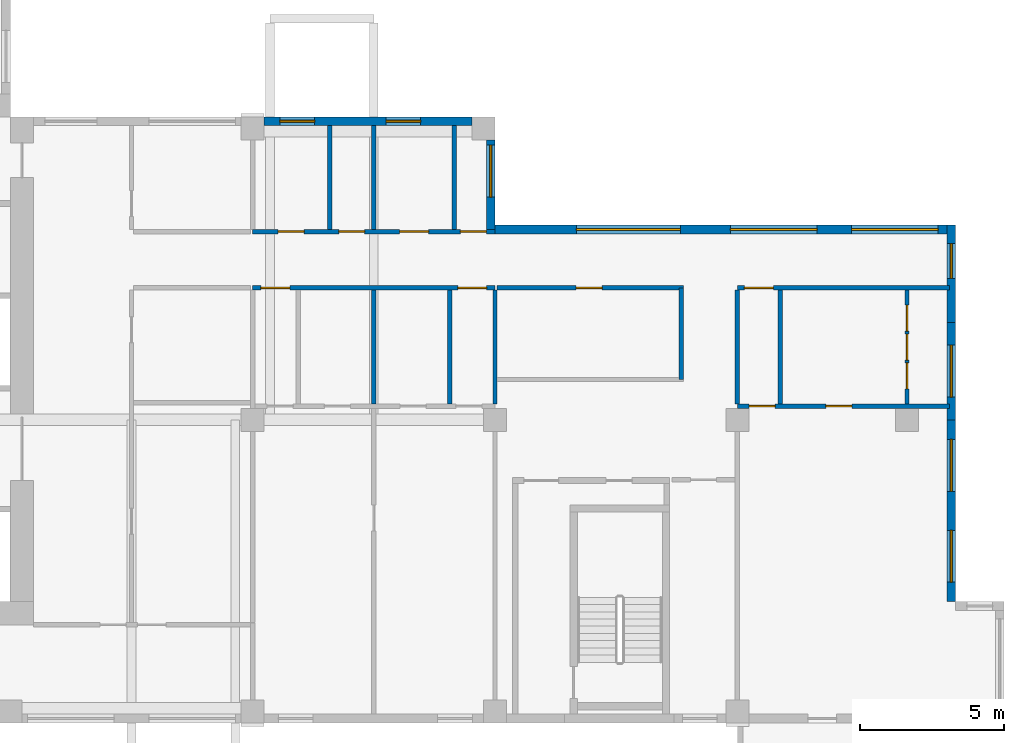
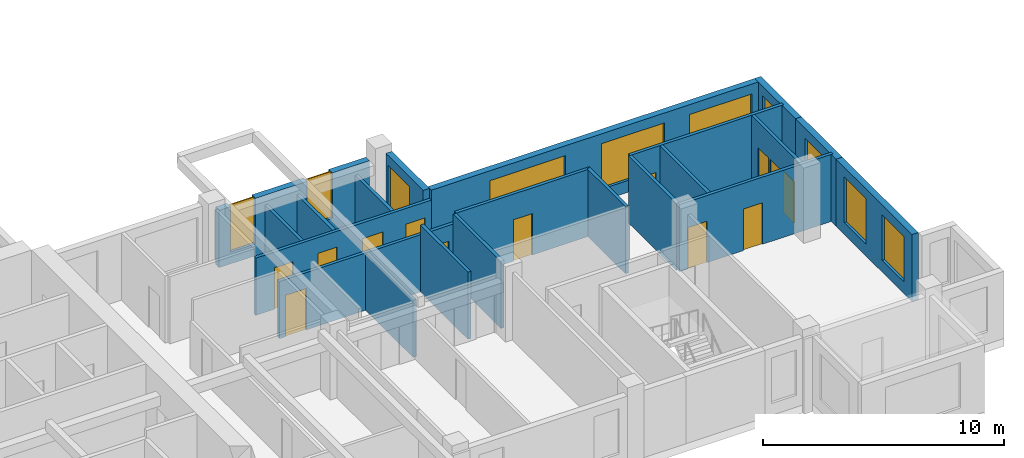
# One storey, part 5 of 11: 21 walls, 13 doors, 10 windows, 23 openings.
"""IFC4 building model written with IfcOpenShell, lengths in metres."""

from ifc_helpers import new_model, si_unit, direction, frame, frame_2d, origin, place, context, subcontext, project, spatial, rectangle, extrude, source, transform, mapped, material, layer, layer_set, type_object, element, fill, save


model = new_model("IFC4")

# Units and contexts
model_context = context("Model", 3, precision=1e-05, world=origin(), true_north=direction((0.0, 1.0)))
body_context = subcontext(model_context, "Body", "Model", "MODEL_VIEW")
ifc_project = project(units=[si_unit("LENGTHUNIT", "METRE"), si_unit("AREAUNIT", "SQUARE_METRE"), si_unit("VOLUMEUNIT", "CUBIC_METRE"), si_unit("PLANEANGLEUNIT", "RADIAN"), si_unit("MASSUNIT", "GRAM", prefix="KILO")], contexts=[model_context])

# Site, building, storey
site_placement = place(None, origin())
site = spatial("IfcSite", under=ifc_project, at=site_placement, CompositionType="ELEMENT")
building_placement = place(site_placement, origin())
building = spatial("IfcBuilding", under=site, at=building_placement, Name="Aurelian Terraces", CompositionType="ELEMENT")
storey_placement = place(building_placement, frame((0.0, 0.0, 227.2)))
storey = spatial("IfcBuildingStorey", under=building, at=storey_placement, Name="L51", CompositionType="ELEMENT", Elevation=227.2)

# Wall, opening, window
ifc_material_1 = material(Name="Terracotta rainscreen cladding", Category="masonry")
ifc_layer_1 = layer(ifc_material_1, 0.3)
ifc_layer_set_1 = layer_set([ifc_layer_1], Name="EW-300")
wall_type_1 = type_object("IfcWallType", Name="EW-300", PredefinedType="STANDARD", material=ifc_layer_set_1)
wall_1_placement = place(storey_placement, frame((37.65, 17.1, 0.0), z_axis=(0.0, 0.0, 1.0), x_axis=(0.0, 1.0, 0.0)))
wall_1 = element("IfcWall", 1, at=wall_1_placement, inside=storey, type_object=wall_type_1, Name="External wall L51 F06.14", PredefinedType="STANDARD", context=body_context, shape_type="SweptSolid", body=[
    extrude(rectangle(XDim=3.1, YDim=0.3, at=frame_2d((1.55, 0.0))), origin(), (0.0, 0.0, 1.0), 3.4),
])
shared_shape_1 = source(origin(), body_context, "Body", "SweptSolid", [
    extrude(rectangle(XDim=1.8, YDim=2.3, at=frame_2d((0.9, 1.15))), frame((0.0, 0.16, 0.0), z_axis=(0.0, -1.0, 0.0), x_axis=(1.0, 0.0, 0.0)), (0.0, 0.0, 1.0), 0.32),
])
opening_1_placement = place(wall_1_placement, frame((1.125, 0.0, 0.6)))
opening_1 = element("IfcOpeningElement", 2, at=opening_1_placement, cuts=wall_1, Name="Opening W1823", PredefinedType="OPENING", context=body_context, shape_type="MappedRepresentation", body=[
    mapped(shared_shape_1, transform((0.0, 0.0, 0.0), scale=1.0)),
])
ifc_material_2 = material(Name="Clear glazing", Category="glass")
window_type_1 = type_object("IfcWindowType", Name="W-1800x2300", PartitioningType="SINGLE_PANEL", PredefinedType="WINDOW", material=ifc_material_2)
shared_shape_2 = source(origin(), body_context, "Body", "SweptSolid", [
    extrude(rectangle(XDim=1.8, YDim=2.3, at=frame_2d((0.9, 1.15))), frame((0.0, 0.03, 0.0), z_axis=(0.0, -1.0, 0.0), x_axis=(1.0, 0.0, 0.0)), (0.0, 0.0, 1.0), 0.06),
])
window_1_placement = place(opening_1_placement, origin())
window_1 = element("IfcWindow", 3, at=window_1_placement, inside=storey, type_object=window_type_1, Name="Window L51 L51-F06-14-0", OverallHeight=2.3, OverallWidth=1.8, PartitioningType="SINGLE_PANEL", PredefinedType="WINDOW", context=body_context, shape_type="MappedRepresentation", body=[
    mapped(shared_shape_2, transform((0.0, 0.0, 0.0), scale=1.0)),
])
fill(opening_1, window_1)

# Wall, openings, windows
wall_2_placement = place(storey_placement, frame((37.0, 20.85, 0.0), z_axis=(0.0, 0.0, 1.0), x_axis=(-1.0, 0.0, 0.0)))
wall_2 = element("IfcWall", 4, at=wall_2_placement, inside=storey, type_object=wall_type_1, Name="External wall L51 F07.15", PredefinedType="STANDARD", context=body_context, shape_type="SweptSolid", body=[
    extrude(rectangle(XDim=7.2, YDim=0.3, at=frame_2d((3.6, 0.0))), origin(), (0.0, 0.0, 1.0), 2.9),
])
shared_shape_3 = source(origin(), body_context, "Body", "SweptSolid", [
    extrude(rectangle(XDim=1.2, YDim=2.3, at=frame_2d((0.6, 1.15))), frame((0.0, 0.16, 0.0), z_axis=(0.0, -1.0, 0.0), x_axis=(1.0, 0.0, 0.0)), (0.0, 0.0, 1.0), 0.32),
])
opening_2_placement = place(wall_2_placement, frame((5.454, 0.0, 0.6)))
opening_2 = element("IfcOpeningElement", 5, at=opening_2_placement, cuts=wall_2, Name="Opening W1223", PredefinedType="OPENING", context=body_context, shape_type="MappedRepresentation", body=[
    mapped(shared_shape_3, transform((0.0, 0.0, 0.0), scale=1.0)),
])
opening_3_placement = place(wall_2_placement, frame((1.776, 0.0, 0.6)))
opening_3 = element("IfcOpeningElement", 6, at=opening_3_placement, cuts=wall_2, Name="Opening W1223", PredefinedType="OPENING", context=body_context, shape_type="MappedRepresentation", body=[
    mapped(shared_shape_3, transform((0.0, 0.0, 0.0), scale=1.0)),
])
window_type_2 = type_object("IfcWindowType", Name="W-1200x2300", PartitioningType="SINGLE_PANEL", PredefinedType="WINDOW", material=ifc_material_2)
shared_shape_4 = source(origin(), body_context, "Body", "SweptSolid", [
    extrude(rectangle(XDim=1.2, YDim=2.3, at=frame_2d((0.6, 1.15))), frame((0.0, 0.03, 0.0), z_axis=(0.0, -1.0, 0.0), x_axis=(1.0, 0.0, 0.0)), (0.0, 0.0, 1.0), 0.06),
])
window_2_placement = place(opening_2_placement, origin())
window_2 = element("IfcWindow", 7, at=window_2_placement, inside=storey, type_object=window_type_2, Name="Window L51 L51-F07-15-1", OverallHeight=2.3, OverallWidth=1.2, PartitioningType="SINGLE_PANEL", PredefinedType="WINDOW", context=body_context, shape_type="MappedRepresentation", body=[
    mapped(shared_shape_4, transform((0.0, 0.0, 0.0), scale=1.0)),
])
fill(opening_2, window_2)
window_3_placement = place(opening_3_placement, origin())
window_3 = element("IfcWindow", 8, at=window_3_placement, inside=storey, type_object=window_type_2, Name="Window L51 L51-F07-15-G0-8", OverallHeight=2.3, OverallWidth=1.2, PartitioningType="SINGLE_PANEL", PredefinedType="WINDOW", context=body_context, shape_type="MappedRepresentation", body=[
    mapped(shared_shape_4, transform((0.0, 0.0, 0.0), scale=1.0)),
])
fill(opening_3, window_3)

# Wall
ifc_material_3 = material(Name="Gypsum board on steel studs", Category="steel")
ifc_layer_2 = layer(ifc_material_3, 0.15)
ifc_layer_set_2 = layer_set([ifc_layer_2], Name="Partition 150")
wall_type_2 = type_object("IfcWallType", Name="Partition 150", PredefinedType="PARTITIONING", material=ifc_layer_set_2)
wall_3_placement = place(storey_placement, frame((33.6, 11.05, 0.0), z_axis=(0.0, 0.0, 1.0), x_axis=(0.0, 1.0, 0.0)))
element("IfcWall", 9, at=wall_3_placement, inside=storey, type_object=wall_type_2, Name="Partition", PredefinedType="PARTITIONING", context=body_context, shape_type="SweptSolid", body=[
    extrude(rectangle(XDim=3.95, YDim=0.15, at=frame_2d((1.975, 0.0))), origin(), (0.0, 0.0, 1.0), 2.9),
])

# Wall, openings, windows
shared_shape_5 = source(origin(), body_context, "Body", "SweptSolid", [
    extrude(rectangle(XDim=6.3, YDim=0.3, at=frame_2d((3.15, 0.0))), origin(), (0.0, 0.0, 1.0), 3.4),
])
wall_4_placement = place(storey_placement, frame((53.61, 4.2, 0.0), z_axis=(0.0, 0.0, 1.0), x_axis=(0.0, 1.0, 0.0)))
wall_4 = element("IfcWall", 10, at=wall_4_placement, inside=storey, type_object=wall_type_1, Name="External wall L51 F04.10", PredefinedType="STANDARD", context=body_context, shape_type="MappedRepresentation", body=[
    mapped(shared_shape_5, transform((0.0, 0.0, 0.0), scale=1.0)),
])
opening_4_placement = place(wall_4_placement, frame((0.675, 0.0, 0.6)))
opening_4 = element("IfcOpeningElement", 11, at=opening_4_placement, cuts=wall_4, Name="Opening W1823", PredefinedType="OPENING", context=body_context, shape_type="MappedRepresentation", body=[
    mapped(shared_shape_1, transform((0.0, 0.0, 0.0), scale=1.0)),
])
opening_5_placement = place(wall_4_placement, frame((3.825, 0.0, 0.6)))
opening_5 = element("IfcOpeningElement", 12, at=opening_5_placement, cuts=wall_4, Name="Opening W1823", PredefinedType="OPENING", context=body_context, shape_type="MappedRepresentation", body=[
    mapped(shared_shape_1, transform((0.0, 0.0, 0.0), scale=1.0)),
])
window_4_placement = place(opening_4_placement, origin())
window_4 = element("IfcWindow", 13, at=window_4_placement, inside=storey, type_object=window_type_1, Name="Window L51 L51-F04-10-0", OverallHeight=2.3, OverallWidth=1.8, PartitioningType="SINGLE_PANEL", PredefinedType="WINDOW", context=body_context, shape_type="MappedRepresentation", body=[
    mapped(shared_shape_2, transform((0.0, 0.0, 0.0), scale=1.0)),
])
fill(opening_4, window_4)
window_5_placement = place(opening_5_placement, origin())
window_5 = element("IfcWindow", 14, at=window_5_placement, inside=storey, type_object=window_type_1, Name="Window L51 L51-F04-10-1", OverallHeight=2.3, OverallWidth=1.8, PartitioningType="SINGLE_PANEL", PredefinedType="WINDOW", context=body_context, shape_type="MappedRepresentation", body=[
    mapped(shared_shape_2, transform((0.0, 0.0, 0.0), scale=1.0)),
])
fill(opening_5, window_5)

# Wall, opening, window
shared_shape_6 = source(origin(), body_context, "Body", "SweptSolid", [
    extrude(rectangle(XDim=3.375, YDim=0.3, at=frame_2d((1.6875, 0.0))), origin(), (0.0, 0.0, 1.0), 3.4),
])
wall_5_placement = place(storey_placement, frame((53.61, 10.5, 0.0), z_axis=(0.0, 0.0, 1.0), x_axis=(0.0, 1.0, 0.0)))
wall_5 = element("IfcWall", 15, at=wall_5_placement, inside=storey, type_object=wall_type_1, Name="External wall L51 F04.11", PredefinedType="STANDARD", context=body_context, shape_type="MappedRepresentation", body=[
    mapped(shared_shape_6, transform((0.0, 0.0, 0.0), scale=1.0)),
])
opening_6_placement = place(wall_5_placement, frame((0.7875, 0.0, 0.6)))
opening_6 = element("IfcOpeningElement", 16, at=opening_6_placement, cuts=wall_5, Name="Opening W1823", PredefinedType="OPENING", context=body_context, shape_type="MappedRepresentation", body=[
    mapped(shared_shape_1, transform((0.0, 0.0, 0.0), scale=1.0)),
])
window_6_placement = place(opening_6_placement, origin())
window_6 = element("IfcWindow", 17, at=window_6_placement, inside=storey, type_object=window_type_1, Name="Window L51 L51-F04-11-0", OverallHeight=2.3, OverallWidth=1.8, PartitioningType="SINGLE_PANEL", PredefinedType="WINDOW", context=body_context, shape_type="MappedRepresentation", body=[
    mapped(shared_shape_2, transform((0.0, 0.0, 0.0), scale=1.0)),
])
fill(opening_6, window_6)

wall_6_placement = place(storey_placement, frame((53.61, 13.875, 0.0), z_axis=(0.0, 0.0, 1.0), x_axis=(0.0, 1.0, 0.0)))
wall_6 = element("IfcWall", 18, at=wall_6_placement, inside=storey, type_object=wall_type_1, Name="External wall L51 F04.12", PredefinedType="STANDARD", context=body_context, shape_type="MappedRepresentation", body=[
    mapped(shared_shape_6, transform((0.0, 0.0, 0.0), scale=1.0)),
])
opening_7_placement = place(wall_6_placement, frame((1.5312, 0.0, 0.6)))
opening_7 = element("IfcOpeningElement", 19, at=opening_7_placement, cuts=wall_6, Name="Opening W1223", PredefinedType="OPENING", context=body_context, shape_type="MappedRepresentation", body=[
    mapped(shared_shape_3, transform((0.0, 0.0, 0.0), scale=1.0)),
])
window_7_placement = place(opening_7_placement, origin())
window_7 = element("IfcWindow", 20, at=window_7_placement, inside=storey, type_object=window_type_2, Name="Window L51 L51-F04-12-P0", OverallHeight=2.3, OverallWidth=1.2, PartitioningType="SINGLE_PANEL", PredefinedType="WINDOW", context=body_context, shape_type="MappedRepresentation", body=[
    mapped(shared_shape_4, transform((0.0, 0.0, 0.0), scale=1.0)),
])
fill(opening_7, window_7)

# Wall, openings, windows
shared_shape_7 = source(origin(), body_context, "Body", "SweptSolid", [
    extrude(rectangle(XDim=15.96, YDim=0.3, at=frame_2d((7.98, 0.0))), origin(), (0.0, 0.0, 1.0), 3.4),
])
wall_7_placement = place(storey_placement, frame((53.76, 17.1, 0.0), z_axis=(0.0, 0.0, 1.0), x_axis=(-1.0, 0.0, 0.0)))
wall_7 = element("IfcWall", 21, at=wall_7_placement, inside=storey, type_object=wall_type_1, Name="External wall L51 F05.13", PredefinedType="STANDARD", context=body_context, shape_type="MappedRepresentation", body=[
    mapped(shared_shape_7, transform((0.0, 0.0, 0.0), scale=1.0)),
])
shared_shape_8 = source(origin(), body_context, "Body", "SweptSolid", [
    extrude(rectangle(XDim=3.0, YDim=2.3, at=frame_2d((1.5, 1.15))), frame((0.0, 0.16, 0.0), z_axis=(0.0, -1.0, 0.0), x_axis=(1.0, 0.0, 0.0)), (0.0, 0.0, 1.0), 0.32),
])
opening_8_placement = place(wall_7_placement, frame((0.6, 0.0, 0.6)))
opening_8 = element("IfcOpeningElement", 22, at=opening_8_placement, cuts=wall_7, Name="Opening W3023", PredefinedType="OPENING", context=body_context, shape_type="MappedRepresentation", body=[
    mapped(shared_shape_8, transform((0.0, 0.0, 0.0), scale=1.0)),
])
opening_9_placement = place(wall_7_placement, frame((4.8, 0.0, 0.6)))
opening_9 = element("IfcOpeningElement", 23, at=opening_9_placement, cuts=wall_7, Name="Opening W3023", PredefinedType="OPENING", context=body_context, shape_type="MappedRepresentation", body=[
    mapped(shared_shape_8, transform((0.0, 0.0, 0.0), scale=1.0)),
])
shared_shape_9 = source(origin(), body_context, "Body", "SweptSolid", [
    extrude(rectangle(XDim=3.6, YDim=2.3, at=frame_2d((1.8, 1.15))), frame((0.0, 0.16, 0.0), z_axis=(0.0, -1.0, 0.0), x_axis=(1.0, 0.0, 0.0)), (0.0, 0.0, 1.0), 0.32),
])
opening_10_placement = place(wall_7_placement, frame((9.54, 0.0, 0.6)))
opening_10 = element("IfcOpeningElement", 24, at=opening_10_placement, cuts=wall_7, Name="Opening W3623", PredefinedType="OPENING", context=body_context, shape_type="MappedRepresentation", body=[
    mapped(shared_shape_9, transform((0.0, 0.0, 0.0), scale=1.0)),
])
window_type_3 = type_object("IfcWindowType", Name="W-3600x2300", PartitioningType="SINGLE_PANEL", PredefinedType="WINDOW", material=ifc_material_2)
shared_shape_10 = source(origin(), body_context, "Body", "SweptSolid", [
    extrude(rectangle(XDim=3.6, YDim=2.3, at=frame_2d((1.8, 1.15))), frame((0.0, 0.03, 0.0), z_axis=(0.0, -1.0, 0.0), x_axis=(1.0, 0.0, 0.0)), (0.0, 0.0, 1.0), 0.06),
])
window_8_placement = place(opening_10_placement, origin())
window_8 = element("IfcWindow", 25, at=window_8_placement, inside=storey, type_object=window_type_3, Name="Window L51 L51-F05-13-2", OverallHeight=2.3, OverallWidth=3.6, PartitioningType="SINGLE_PANEL", PredefinedType="WINDOW", context=body_context, shape_type="MappedRepresentation", body=[
    mapped(shared_shape_10, transform((0.0, 0.0, 0.0), scale=1.0)),
])
fill(opening_10, window_8)
window_type_4 = type_object("IfcWindowType", Name="W-3000x2300", PartitioningType="SINGLE_PANEL", PredefinedType="WINDOW", material=ifc_material_2)
shared_shape_11 = source(origin(), body_context, "Body", "SweptSolid", [
    extrude(rectangle(XDim=3.0, YDim=2.3, at=frame_2d((1.5, 1.15))), frame((0.0, 0.03, 0.0), z_axis=(0.0, -1.0, 0.0), x_axis=(1.0, 0.0, 0.0)), (0.0, 0.0, 1.0), 0.06),
])
window_9_placement = place(opening_8_placement, origin())
window_9 = element("IfcWindow", 26, at=window_9_placement, inside=storey, type_object=window_type_4, Name="Window L51 L51-F05-13-0", OverallHeight=2.3, OverallWidth=3.0, PartitioningType="SINGLE_PANEL", PredefinedType="WINDOW", context=body_context, shape_type="MappedRepresentation", body=[
    mapped(shared_shape_11, transform((0.0, 0.0, 0.0), scale=1.0)),
])
fill(opening_8, window_9)
window_10_placement = place(opening_9_placement, origin())
window_10 = element("IfcWindow", 27, at=window_10_placement, inside=storey, type_object=window_type_4, Name="Window L51 L51-F05-13-1", OverallHeight=2.3, OverallWidth=3.0, PartitioningType="SINGLE_PANEL", PredefinedType="WINDOW", context=body_context, shape_type="MappedRepresentation", body=[
    mapped(shared_shape_11, transform((0.0, 0.0, 0.0), scale=1.0)),
])
fill(opening_9, window_10)

# Wall, opening, door
ifc_layer_3 = layer(ifc_material_3, 0.15)
ifc_layer_set_3 = layer_set([ifc_layer_3], Name="Fire partition 150")
wall_type_3 = type_object("IfcWallType", Name="Fire partition 150", PredefinedType="PARTITIONING", material=ifc_layer_set_3)
shared_shape_12 = source(origin(), body_context, "Body", "SweptSolid", [
    extrude(rectangle(XDim=6.45, YDim=0.15, at=frame_2d((3.225, 0.0))), origin(), (0.0, 0.0, 1.0), 3.4),
])
wall_8_placement = place(storey_placement, frame((44.325, 15.075, 0.0), z_axis=(0.0, 0.0, 1.0), x_axis=(-1.0, 0.0, 0.0)))
wall_8 = element("IfcWall", 28, at=wall_8_placement, inside=storey, type_object=wall_type_3, Name="Corridor wall", PredefinedType="PARTITIONING", context=body_context, shape_type="MappedRepresentation", body=[
    mapped(shared_shape_12, transform((0.0, 0.0, 0.0), scale=1.0)),
])
shared_shape_13 = source(origin(), body_context, "Body", "SweptSolid", [
    extrude(rectangle(XDim=0.9, YDim=2.1, at=frame_2d((0.45, 1.05))), frame((0.0, 0.085, 0.0), z_axis=(0.0, -1.0, 0.0), x_axis=(1.0, 0.0, 0.0)), (0.0, 0.0, 1.0), 0.17),
])
opening_11_placement = place(wall_8_placement, frame((2.8125, 0.0, 0.0)))
opening_11 = element("IfcOpeningElement", 29, at=opening_11_placement, cuts=wall_8, Name="Opening 751005", PredefinedType="OPENING", context=body_context, shape_type="MappedRepresentation", body=[
    mapped(shared_shape_13, transform((0.0, 0.0, 0.0), scale=1.0)),
])
ifc_material_4 = material(Name="Timber door leaf", Category="wood")
door_type_1 = type_object("IfcDoorType", Name="Room door 900x2100 left", OperationType="SINGLE_SWING_LEFT", PredefinedType="DOOR", material=ifc_material_4)
shared_shape_14 = source(origin(), body_context, "Body", "SweptSolid", [
    extrude(rectangle(XDim=0.9, YDim=2.1, at=frame_2d((0.45, 1.05))), frame((0.0, 0.025, 0.0), z_axis=(0.0, -1.0, 0.0), x_axis=(1.0, 0.0, 0.0)), (0.0, 0.0, 1.0), 0.05),
])
door_1_placement = place(opening_11_placement, origin())
door_1 = element("IfcDoor", 30, at=door_1_placement, inside=storey, type_object=door_type_1, Name="Door 751005", OperationType="SINGLE_SWING_LEFT", OverallHeight=2.1, OverallWidth=0.9, PredefinedType="DOOR", context=body_context, shape_type="MappedRepresentation", body=[
    mapped(shared_shape_14, transform((0.0, 0.0, 0.0), scale=1.0)),
])
fill(opening_11, door_1)

# Walls
shared_shape_15 = source(origin(), body_context, "Body", "SweptSolid", [
    extrude(rectangle(XDim=3.6, YDim=0.15, at=frame_2d((1.8, 0.0))), origin(), (0.0, 0.0, 1.0), 2.4),
])
for number, where, z_axis, x_axis, name in (
    (31, (32.067, 20.7, 0.0), (0.0, 0.0, 1.0), (0.0, -1.0, 0.0), "Partition"),
    (32, (36.3885, 20.7, 0.0), (0.0, 0.0, 1.0), (0.0, -1.0, 0.0), "Partition"),
):
    element("IfcWall", number, at=place(storey_placement, frame(where, z_axis=z_axis, x_axis=x_axis)), inside=storey, type_object=wall_type_2, Name=name, PredefinedType="PARTITIONING", context=body_context, shape_type="MappedRepresentation", body=[
        mapped(shared_shape_15, transform((0.0, 0.0, 0.0), scale=1.0)),
    ])
wall_9_placement = place(storey_placement, frame((33.6, 17.1, 0.0), z_axis=(0.0, 0.0, 1.0), x_axis=(0.0, 1.0, 0.0)))
element("IfcWall", 33, at=wall_9_placement, inside=storey, type_object=wall_type_3, Name="Party wall", PredefinedType="PARTITIONING", context=body_context, shape_type="MappedRepresentation", body=[
    mapped(shared_shape_15, transform((0.0, 0.0, 0.0), scale=1.0)),
])

# Wall, openings, doors
shared_shape_16 = source(origin(), body_context, "Body", "SweptSolid", [
    extrude(rectangle(XDim=8.4, YDim=0.15, at=frame_2d((4.2, 0.0))), origin(), (0.0, 0.0, 1.0), 2.9),
])
wall_10_placement = place(storey_placement, frame((37.8, 15.075, 0.0), z_axis=(0.0, 0.0, 1.0), x_axis=(-1.0, 0.0, 0.0)))
wall_10 = element("IfcWall", 34, at=wall_10_placement, inside=storey, type_object=wall_type_3, Name="Corridor wall", PredefinedType="PARTITIONING", context=body_context, shape_type="MappedRepresentation", body=[
    mapped(shared_shape_16, transform((0.0, 0.0, 0.0), scale=1.0)),
])
shared_shape_17 = source(origin(), body_context, "Body", "SweptSolid", [
    extrude(rectangle(XDim=1.0, YDim=2.1, at=frame_2d((0.5, 1.05))), frame((0.0, 0.085, 0.0), z_axis=(0.0, -1.0, 0.0), x_axis=(1.0, 0.0, 0.0)), (0.0, 0.0, 1.0), 0.17),
])
opening_12_placement = place(wall_10_placement, frame((7.1125, 0.0, 0.0)))
opening_12 = element("IfcOpeningElement", 35, at=opening_12_placement, cuts=wall_10, Name="Opening 751007", PredefinedType="OPENING", context=body_context, shape_type="MappedRepresentation", body=[
    mapped(shared_shape_17, transform((0.0, 0.0, 0.0), scale=1.0)),
])
opening_13_placement = place(wall_10_placement, frame((0.2875, 0.0, 0.0)))
opening_13 = element("IfcOpeningElement", 36, at=opening_13_placement, cuts=wall_10, Name="Opening 751011", PredefinedType="OPENING", context=body_context, shape_type="MappedRepresentation", body=[
    mapped(shared_shape_17, transform((0.0, 0.0, 0.0), scale=1.0)),
])
ifc_material_5 = material(Name="Steel door leaf", Category="steel")
door_type_2 = type_object("IfcDoorType", Name="Entrance fire door 1000x2100 right", OperationType="SINGLE_SWING_RIGHT", PredefinedType="DOOR", material=ifc_material_5)
shared_shape_18 = source(origin(), body_context, "Body", "SweptSolid", [
    extrude(rectangle(XDim=1.0, YDim=2.1, at=frame_2d((0.5, 1.05))), frame((0.0, 0.025, 0.0), z_axis=(0.0, -1.0, 0.0), x_axis=(1.0, 0.0, 0.0)), (0.0, 0.0, 1.0), 0.05),
])
door_2_placement = place(opening_12_placement, origin())
door_2 = element("IfcDoor", 37, at=door_2_placement, inside=storey, type_object=door_type_2, Name="Door 751007", OperationType="SINGLE_SWING_RIGHT", OverallHeight=2.1, OverallWidth=1.0, PredefinedType="DOOR", context=body_context, shape_type="MappedRepresentation", body=[
    mapped(shared_shape_18, transform((0.0, 0.0, 0.0), scale=1.0)),
])
fill(opening_12, door_2)
door_3_placement = place(opening_13_placement, origin())
door_3 = element("IfcDoor", 38, at=door_3_placement, inside=storey, type_object=door_type_2, Name="Door 751011", OperationType="SINGLE_SWING_RIGHT", OverallHeight=2.1, OverallWidth=1.0, PredefinedType="DOOR", context=body_context, shape_type="MappedRepresentation", body=[
    mapped(shared_shape_18, transform((0.0, 0.0, 0.0), scale=1.0)),
])
fill(opening_13, door_3)

wall_11_placement = place(storey_placement, frame((29.4, 17.025, 0.0), z_axis=(0.0, 0.0, 1.0), x_axis=(1.0, 0.0, 0.0)))
wall_11 = element("IfcWall", 39, at=wall_11_placement, inside=storey, type_object=wall_type_3, Name="Corridor wall", PredefinedType="PARTITIONING", context=body_context, shape_type="MappedRepresentation", body=[
    mapped(shared_shape_16, transform((0.0, 0.0, 0.0), scale=1.0)),
])
opening_14_placement = place(wall_11_placement, frame((0.8835, 0.0, 0.0)))
opening_14 = element("IfcOpeningElement", 40, at=opening_14_placement, cuts=wall_11, Name="Opening 751017", PredefinedType="OPENING", context=body_context, shape_type="MappedRepresentation", body=[
    mapped(shared_shape_13, transform((0.0, 0.0, 0.0), scale=1.0)),
])
opening_15_placement = place(wall_11_placement, frame((2.9835, 0.0, 0.0)))
opening_15 = element("IfcOpeningElement", 41, at=opening_15_placement, cuts=wall_11, Name="Opening 751018", PredefinedType="OPENING", context=body_context, shape_type="MappedRepresentation", body=[
    mapped(shared_shape_13, transform((0.0, 0.0, 0.0), scale=1.0)),
])
opening_16_placement = place(wall_11_placement, frame((5.0942, 0.0, 0.0)))
opening_16 = element("IfcOpeningElement", 42, at=opening_16_placement, cuts=wall_11, Name="Opening 751019", PredefinedType="OPENING", context=body_context, shape_type="MappedRepresentation", body=[
    mapped(shared_shape_17, transform((0.0, 0.0, 0.0), scale=1.0)),
])
opening_17_placement = place(wall_11_placement, frame((7.2, 0.0, 0.0)))
opening_17 = element("IfcOpeningElement", 43, at=opening_17_placement, cuts=wall_11, Name="Opening 751020", PredefinedType="OPENING", context=body_context, shape_type="MappedRepresentation", body=[
    mapped(shared_shape_13, transform((0.0, 0.0, 0.0), scale=1.0)),
])
door_4_placement = place(opening_16_placement, origin())
door_4 = element("IfcDoor", 44, at=door_4_placement, inside=storey, type_object=door_type_2, Name="Door 751019", OperationType="SINGLE_SWING_RIGHT", OverallHeight=2.1, OverallWidth=1.0, PredefinedType="DOOR", context=body_context, shape_type="MappedRepresentation", body=[
    mapped(shared_shape_18, transform((0.0, 0.0, 0.0), scale=1.0)),
])
fill(opening_16, door_4)
door_type_3 = type_object("IfcDoorType", Name="Entrance fire door 900x2100 right", OperationType="SINGLE_SWING_RIGHT", PredefinedType="DOOR", material=ifc_material_5)
door_5_placement = place(opening_14_placement, origin())
door_5 = element("IfcDoor", 45, at=door_5_placement, inside=storey, type_object=door_type_3, Name="Door 751017", OperationType="SINGLE_SWING_RIGHT", OverallHeight=2.1, OverallWidth=0.9, PredefinedType="DOOR", context=body_context, shape_type="MappedRepresentation", body=[
    mapped(shared_shape_14, transform((0.0, 0.0, 0.0), scale=1.0)),
])
fill(opening_14, door_5)
door_type_4 = type_object("IfcDoorType", Name="Entrance fire door 900x2100 left", OperationType="SINGLE_SWING_LEFT", PredefinedType="DOOR", material=ifc_material_5)
door_6_placement = place(opening_15_placement, origin())
door_6 = element("IfcDoor", 46, at=door_6_placement, inside=storey, type_object=door_type_4, Name="Door 751018", OperationType="SINGLE_SWING_LEFT", OverallHeight=2.1, OverallWidth=0.9, PredefinedType="DOOR", context=body_context, shape_type="MappedRepresentation", body=[
    mapped(shared_shape_14, transform((0.0, 0.0, 0.0), scale=1.0)),
])
fill(opening_15, door_6)
door_7_placement = place(opening_17_placement, origin())
door_7 = element("IfcDoor", 47, at=door_7_placement, inside=storey, type_object=door_type_4, Name="Door 751020", OperationType="SINGLE_SWING_LEFT", OverallHeight=2.1, OverallWidth=0.9, PredefinedType="DOOR", context=body_context, shape_type="MappedRepresentation", body=[
    mapped(shared_shape_14, transform((0.0, 0.0, 0.0), scale=1.0)),
])
fill(opening_17, door_7)

# Wall
shared_shape_19 = source(origin(), body_context, "Body", "SweptSolid", [
    extrude(rectangle(XDim=3.175, YDim=0.15, at=frame_2d((1.5875, 0.0))), origin(), (0.0, 0.0, 1.0), 3.4),
])
wall_12_placement = place(storey_placement, frame((44.25, 11.9, 0.0), z_axis=(0.0, 0.0, 1.0), x_axis=(0.0, 1.0, 0.0)))
element("IfcWall", 48, at=wall_12_placement, inside=storey, type_object=wall_type_2, Name="Partition", PredefinedType="PARTITIONING", context=body_context, shape_type="MappedRepresentation", body=[
    mapped(shared_shape_19, transform((0.0, 0.0, 0.0), scale=1.0)),
])

# Wall, openings, doors
shared_shape_20 = source(origin(), body_context, "Body", "SweptSolid", [
    extrude(rectangle(XDim=7.355, YDim=0.15, at=frame_2d((3.6775, 0.0))), origin(), (0.0, 0.0, 1.0), 3.4),
])
wall_13_placement = place(storey_placement, frame((53.555, 10.975, 0.0), z_axis=(0.0, 0.0, 1.0), x_axis=(-1.0, 0.0, 0.0)))
wall_13 = element("IfcWall", 49, at=wall_13_placement, inside=storey, type_object=wall_type_2, Name="Partition", PredefinedType="PARTITIONING", context=body_context, shape_type="MappedRepresentation", body=[
    mapped(shared_shape_20, transform((0.0, 0.0, 0.0), scale=1.0)),
])
opening_18_placement = place(wall_13_placement, frame((6.047, 0.0, 0.0)))
opening_18 = element("IfcOpeningElement", 50, at=opening_18_placement, cuts=wall_13, Name="Opening 751015", PredefinedType="OPENING", context=body_context, shape_type="MappedRepresentation", body=[
    mapped(shared_shape_13, transform((0.0, 0.0, 0.0), scale=1.0)),
])
opening_19_placement = place(wall_13_placement, frame((3.3899, 0.0, 0.0)))
opening_19 = element("IfcOpeningElement", 51, at=opening_19_placement, cuts=wall_13, Name="Opening 751016", PredefinedType="OPENING", context=body_context, shape_type="MappedRepresentation", body=[
    mapped(shared_shape_13, transform((0.0, 0.0, 0.0), scale=1.0)),
])
door_8_placement = place(opening_18_placement, origin())
door_8 = element("IfcDoor", 52, at=door_8_placement, inside=storey, type_object=door_type_1, Name="Door 751015", OperationType="SINGLE_SWING_LEFT", OverallHeight=2.1, OverallWidth=0.9, PredefinedType="DOOR", context=body_context, shape_type="MappedRepresentation", body=[
    mapped(shared_shape_14, transform((0.0, 0.0, 0.0), scale=1.0)),
])
fill(opening_18, door_8)
door_type_5 = type_object("IfcDoorType", Name="Room door 900x2100 right", OperationType="SINGLE_SWING_RIGHT", PredefinedType="DOOR", material=ifc_material_4)
door_9_placement = place(opening_19_placement, origin())
door_9 = element("IfcDoor", 53, at=door_9_placement, inside=storey, type_object=door_type_5, Name="Door 751016", OperationType="SINGLE_SWING_RIGHT", OverallHeight=2.1, OverallWidth=0.9, PredefinedType="DOOR", context=body_context, shape_type="MappedRepresentation", body=[
    mapped(shared_shape_14, transform((0.0, 0.0, 0.0), scale=1.0)),
])
fill(opening_19, door_9)

# Wall, opening, door
wall_14_placement = place(storey_placement, frame((53.555, 15.075, 0.0), z_axis=(0.0, 0.0, 1.0), x_axis=(-1.0, 0.0, 0.0)))
wall_14 = element("IfcWall", 54, at=wall_14_placement, inside=storey, type_object=wall_type_3, Name="Corridor wall", PredefinedType="PARTITIONING", context=body_context, shape_type="MappedRepresentation", body=[
    mapped(shared_shape_20, transform((0.0, 0.0, 0.0), scale=1.0)),
])
opening_20_placement = place(wall_14_placement, frame((6.11, 0.0, 0.0)))
opening_20 = element("IfcOpeningElement", 55, at=opening_20_placement, cuts=wall_14, Name="Opening 751014", PredefinedType="OPENING", context=body_context, shape_type="MappedRepresentation", body=[
    mapped(shared_shape_17, transform((0.0, 0.0, 0.0), scale=1.0)),
])
door_10_placement = place(opening_20_placement, origin())
door_10 = element("IfcDoor", 56, at=door_10_placement, inside=storey, type_object=door_type_2, Name="Door 751014", OperationType="SINGLE_SWING_RIGHT", OverallHeight=2.1, OverallWidth=1.0, PredefinedType="DOOR", context=body_context, shape_type="MappedRepresentation", body=[
    mapped(shared_shape_18, transform((0.0, 0.0, 0.0), scale=1.0)),
])
fill(opening_20, door_10)

# Walls
shared_shape_21 = source(origin(), body_context, "Body", "SweptSolid", [
    extrude(rectangle(XDim=3.95, YDim=0.15, at=frame_2d((1.975, 0.0))), origin(), (0.0, 0.0, 1.0), 3.4),
])
wall_15_placement = place(storey_placement, frame((36.225, 11.05, 0.0), z_axis=(0.0, 0.0, 1.0), x_axis=(0.0, 1.0, 0.0)))
element("IfcWall", 57, at=wall_15_placement, inside=storey, type_object=wall_type_2, Name="Partition", PredefinedType="PARTITIONING", context=body_context, shape_type="MappedRepresentation", body=[
    mapped(shared_shape_21, transform((0.0, 0.0, 0.0), scale=1.0)),
])
wall_16_placement = place(storey_placement, frame((37.8, 11.05, 0.0), z_axis=(0.0, 0.0, 1.0), x_axis=(0.0, 1.0, 0.0)))
element("IfcWall", 58, at=wall_16_placement, inside=storey, type_object=wall_type_3, Name="Party wall", PredefinedType="PARTITIONING", context=body_context, shape_type="MappedRepresentation", body=[
    mapped(shared_shape_21, transform((0.0, 0.0, 0.0), scale=1.0)),
])
wall_17_placement = place(storey_placement, frame((47.6901, 11.05, 0.0), z_axis=(0.0, 0.0, 1.0), x_axis=(0.0, 1.0, 0.0)))
element("IfcWall", 59, at=wall_17_placement, inside=storey, type_object=wall_type_2, Name="Partition", PredefinedType="PARTITIONING", context=body_context, shape_type="MappedRepresentation", body=[
    mapped(shared_shape_21, transform((0.0, 0.0, 0.0), scale=1.0)),
])

# Wall, openings, doors
wall_18_placement = place(storey_placement, frame((52.08, 11.05, 0.0), z_axis=(0.0, 0.0, 1.0), x_axis=(0.0, 1.0, 0.0)))
wall_18 = element("IfcWall", 60, at=wall_18_placement, inside=storey, type_object=wall_type_2, Name="Partition", PredefinedType="PARTITIONING", context=body_context, shape_type="MappedRepresentation", body=[
    mapped(shared_shape_21, transform((0.0, 0.0, 0.0), scale=1.0)),
])
opening_21_placement = place(wall_18_placement, frame((1.525, 0.0, 0.0)))
opening_21 = element("IfcOpeningElement", 61, at=opening_21_placement, cuts=wall_18, Name="Opening 751040", PredefinedType="OPENING", context=body_context, shape_type="MappedRepresentation", body=[
    mapped(shared_shape_13, transform((0.0, 0.0, 0.0), scale=1.0)),
])
opening_22_placement = place(wall_18_placement, frame((2.525, 0.0, 0.0)))
opening_22 = element("IfcOpeningElement", 62, at=opening_22_placement, cuts=wall_18, Name="Opening 751041", PredefinedType="OPENING", context=body_context, shape_type="MappedRepresentation", body=[
    mapped(shared_shape_13, transform((0.0, 0.0, 0.0), scale=1.0)),
])
opening_23_placement = place(wall_18_placement, frame((0.525, 0.0, 0.0)))
opening_23 = element("IfcOpeningElement", 63, at=opening_23_placement, cuts=wall_18, Name="Opening 751042", PredefinedType="OPENING", context=body_context, shape_type="MappedRepresentation", body=[
    mapped(shared_shape_13, transform((0.0, 0.0, 0.0), scale=1.0)),
])
door_11_placement = place(opening_21_placement, origin())
door_11 = element("IfcDoor", 64, at=door_11_placement, inside=storey, type_object=door_type_1, Name="Door 751040", OperationType="SINGLE_SWING_LEFT", OverallHeight=2.1, OverallWidth=0.9, PredefinedType="DOOR", context=body_context, shape_type="MappedRepresentation", body=[
    mapped(shared_shape_14, transform((0.0, 0.0, 0.0), scale=1.0)),
])
fill(opening_21, door_11)
door_12_placement = place(opening_22_placement, origin())
door_12 = element("IfcDoor", 65, at=door_12_placement, inside=storey, type_object=door_type_4, Name="Door 751041", OperationType="SINGLE_SWING_LEFT", OverallHeight=2.1, OverallWidth=0.9, PredefinedType="DOOR", context=body_context, shape_type="MappedRepresentation", body=[
    mapped(shared_shape_14, transform((0.0, 0.0, 0.0), scale=1.0)),
])
fill(opening_22, door_12)
door_13_placement = place(opening_23_placement, origin())
door_13 = element("IfcDoor", 66, at=door_13_placement, inside=storey, type_object=door_type_4, Name="Door 751042", OperationType="SINGLE_SWING_LEFT", OverallHeight=2.1, OverallWidth=0.9, PredefinedType="DOOR", context=body_context, shape_type="MappedRepresentation", body=[
    mapped(shared_shape_14, transform((0.0, 0.0, 0.0), scale=1.0)),
])
fill(opening_23, door_13)

# Wall
wall_19_placement = place(storey_placement, frame((46.2, 11.05, 0.0), z_axis=(0.0, 0.0, 1.0), x_axis=(0.0, 1.0, 0.0)))
element("IfcWall", 67, at=wall_19_placement, inside=storey, type_object=wall_type_3, Name="Party wall", PredefinedType="PARTITIONING", context=body_context, shape_type="MappedRepresentation", body=[
    mapped(shared_shape_21, transform((0.0, 0.0, 0.0), scale=1.0)),
])

save(model, "model.ifc")
